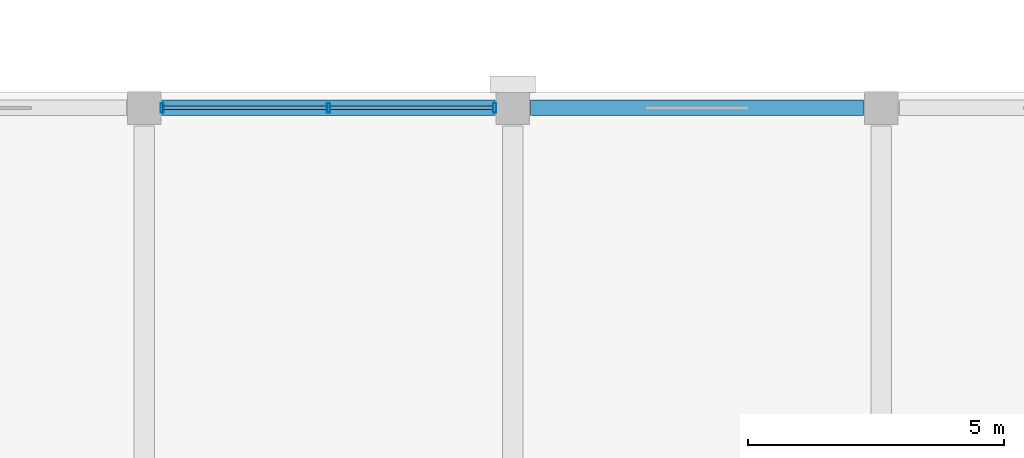
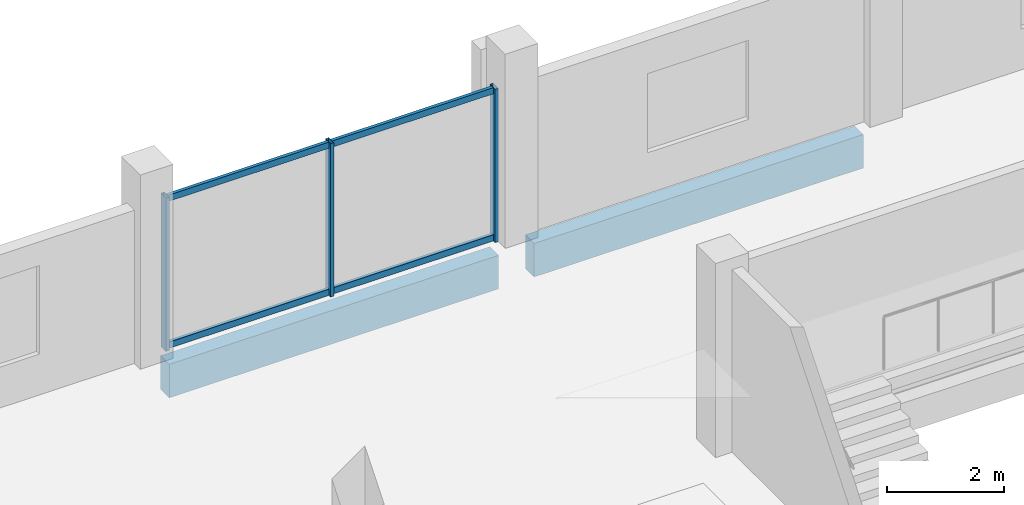
# One storey, part 34 of 107: 7 members, 2 beams, 1 element without a shape of its own.
"""IFC4 building model written with IfcOpenShell, lengths in metres."""

from ifc_helpers import new_model, si_unit, direction, frame, origin, origin_2d, place, context, subcontext, project, spatial, rectangle, hollow_rectangle, extrude, material, layer, layer_set, material_profile, profile_set, type_object, element, aggregate, save


model = new_model("IFC4")

# Units and contexts
model_context = context("Model", 3, precision=1e-05, world=origin(), true_north=direction((0.0, 1.0)))
body_context = subcontext(model_context, "Body", "Model", "MODEL_VIEW")
ifc_project = project(units=[si_unit("LENGTHUNIT", "METRE"), si_unit("AREAUNIT", "SQUARE_METRE"), si_unit("VOLUMEUNIT", "CUBIC_METRE"), si_unit("PLANEANGLEUNIT", "RADIAN"), si_unit("MASSUNIT", "GRAM", prefix="KILO")], contexts=[model_context])

# Site, building, storey
site_placement = place(None, origin())
site = spatial("IfcSite", under=ifc_project, at=site_placement, CompositionType="ELEMENT")
building_placement = place(site_placement, origin())
building = spatial("IfcBuilding", under=site, at=building_placement, Name="Kangsadwip Square Police Headquarters", CompositionType="ELEMENT")
storey_placement = place(building_placement, frame((0.0, 0.0, 5.39990234375)))
storey = spatial("IfcBuildingStorey", under=building, at=storey_placement, Name="L01", CompositionType="ELEMENT", Elevation=5.39990234375)

# Curtain wall, members
ifc_material_1 = material(Name="Thermally broken anodised aluminium AW-6063-T6", Category="aluminium")
ifc_layer = layer(ifc_material_1, 0.159912109375)
ifc_layer_set = layer_set([ifc_layer], Name="Thermally broken anodised aluminium AW-6063-T6")
curtain_wall_type = type_object("IfcCurtainWallType", Name="UnitisedCw6560x3200", PredefinedType="NOTDEFINED", material=ifc_layer_set)
curtain_wall_placement = place(storey_placement, origin())
curtain_wall = element("IfcCurtainWall", 1, at=curtain_wall_placement, inside=storey, type_object=curtain_wall_type, Name="Curtain Wall CW-L01-0075-1152", PredefinedType="NOTDEFINED")
ifc_material_2 = material(Name="Thermally broken anodised aluminium AW-6063-T6", Category="aluminium")
ifc_material_profile_1 = material_profile(ifc_material_2, hollow_rectangle(XDim=0.06494140625, YDim=0.179931640625, WallThickness=0.00390625, at=origin_2d()), Name="CWM 180X65X4")
ifc_profile_set_1 = profile_set([ifc_material_profile_1], Name="Thermally broken anodised aluminium AW-6063-T6")
member_type_1 = type_object("IfcMemberType", Name="CwMullion160x65", PredefinedType="MULLION", material=ifc_profile_set_1)
member_1_placement = place(storey_placement, frame((7.552490234375, 115.199951171875, 0.0), z_axis=(0.0, 0.0, 1.0), x_axis=(1.0, 0.0, 0.0)))
member_1 = element("IfcMember", 2, at=member_1_placement, type_object=member_type_1, Name="CW-20 mullion 1", PredefinedType="MULLION", context=body_context, shape_type="SweptSolid", body=[
    extrude(hollow_rectangle(XDim=0.06494140625, YDim=0.179931640625, WallThickness=0.00390625, at=origin_2d()), origin(), (0.0, 0.0, 1.0), 3.2001953125),
])
member_2_placement = place(storey_placement, frame((10.800048828125, 115.199951171875, 0.0), z_axis=(0.0, 0.0, 1.0), x_axis=(1.0, 0.0, 0.0)))
member_2 = element("IfcMember", 3, at=member_2_placement, type_object=member_type_1, Name="CW-20 mullion 2", PredefinedType="MULLION", context=body_context, shape_type="SweptSolid", body=[
    extrude(hollow_rectangle(XDim=0.06494140625, YDim=0.179931640625, WallThickness=0.00390625, at=origin_2d()), origin(), (0.0, 0.0, 1.0), 3.2001953125),
])
member_3_placement = place(storey_placement, frame((14.047607421875, 115.199951171875, 0.0), z_axis=(0.0, 0.0, 1.0), x_axis=(1.0, 0.0, 0.0)))
member_3 = element("IfcMember", 4, at=member_3_placement, type_object=member_type_1, Name="CW-20 mullion 3", PredefinedType="MULLION", context=body_context, shape_type="SweptSolid", body=[
    extrude(hollow_rectangle(XDim=0.06494140625, YDim=0.179931640625, WallThickness=0.00390625, at=origin_2d()), origin(), (0.0, 0.0, 1.0), 3.2001953125),
])
ifc_material_3 = material(Name="Thermally broken anodised aluminium AW-6063-T6", Category="aluminium")
ifc_material_profile_2 = material_profile(ifc_material_3, hollow_rectangle(XDim=0.06494140625, YDim=0.1298828125, WallThickness=0.00390625, at=origin_2d()), Name="CWT 130X65X4")
ifc_profile_set_2 = profile_set([ifc_material_profile_2], Name="Thermally broken anodised aluminium AW-6063-T6")
member_type_2 = type_object("IfcMemberType", Name="CwTransom140x60", PredefinedType="USERDEFINED", material=ifc_profile_set_2)
member_4_placement = place(storey_placement, frame((7.5849609375, 115.199951171875, 0.065185546875), z_axis=(1.0, 0.0, 0.0), x_axis=(0.0, 1.0, 0.0)))
member_4 = element("IfcMember", 5, at=member_4_placement, type_object=member_type_2, Name="CW-20 transom 1.1", ObjectType="TRANSOM", PredefinedType="USERDEFINED", context=body_context, shape_type="SweptSolid", body=[
    extrude(hollow_rectangle(XDim=0.06494140625, YDim=0.1298828125, WallThickness=0.00390625, at=origin_2d()), origin(), (0.0, 0.0, 1.0), 3.1826171875),
])
member_5_placement = place(storey_placement, frame((7.5849609375, 115.199951171875, 3.135009765625), z_axis=(1.0, 0.0, 0.0), x_axis=(0.0, 1.0, 0.0)))
member_5 = element("IfcMember", 6, at=member_5_placement, type_object=member_type_2, Name="CW-20 transom 1.2", ObjectType="TRANSOM", PredefinedType="USERDEFINED", context=body_context, shape_type="SweptSolid", body=[
    extrude(hollow_rectangle(XDim=0.06494140625, YDim=0.1298828125, WallThickness=0.00390625, at=origin_2d()), origin(), (0.0, 0.0, 1.0), 3.1826171875),
])
member_6_placement = place(storey_placement, frame((10.83251953125, 115.199951171875, 0.065185546875), z_axis=(1.0, 0.0, 0.0), x_axis=(0.0, 1.0, 0.0)))
member_6 = element("IfcMember", 7, at=member_6_placement, type_object=member_type_2, Name="CW-20 transom 2.1", ObjectType="TRANSOM", PredefinedType="USERDEFINED", context=body_context, shape_type="SweptSolid", body=[
    extrude(hollow_rectangle(XDim=0.06494140625, YDim=0.1298828125, WallThickness=0.00390625, at=origin_2d()), origin(), (0.0, 0.0, 1.0), 3.182373046875),
])
member_7_placement = place(storey_placement, frame((10.83251953125, 115.199951171875, 3.135009765625), z_axis=(1.0, 0.0, 0.0), x_axis=(0.0, 1.0, 0.0)))
member_7 = element("IfcMember", 8, at=member_7_placement, type_object=member_type_2, Name="CW-20 transom 2.2", ObjectType="TRANSOM", PredefinedType="USERDEFINED", context=body_context, shape_type="SweptSolid", body=[
    extrude(hollow_rectangle(XDim=0.06494140625, YDim=0.1298828125, WallThickness=0.00390625, at=origin_2d()), origin(), (0.0, 0.0, 1.0), 3.182373046875),
])
aggregate(curtain_wall, [member_1, member_2, member_3, member_4, member_5, member_6, member_7])

# Beams
ifc_material_4 = material(Name="Concrete M40 (40 MPa)", Category="concrete")
ifc_material_profile_3 = material_profile(ifc_material_4, rectangle(XDim=0.300048828125, YDim=0.699951171875, at=origin_2d()), Name="RC SPN 700X300")
ifc_profile_set_3 = profile_set([ifc_material_profile_3], Name="Concrete M40 (40 MPa)")
beam_type = type_object("IfcBeamType", Name="RcSpandrel700x300", PredefinedType="SPANDREL", material=ifc_profile_set_3)
for number, where, z_axis, x_axis, name in (
    (9, (7.550048828125, 115.199951171875, -0.58984375), (1.0, 0.0, 0.0), (0.0, 1.0, 0.0), "Beam BM-L01-X-01-16"),
    (10, (14.75, 115.199951171875, -0.58984375), (1.0, 0.0, 0.0), (0.0, 1.0, 0.0), "Beam BM-L01-X-02-16"),
):
    element("IfcBeam", number, at=place(storey_placement, frame(where, z_axis=z_axis, x_axis=x_axis)), inside=storey, type_object=beam_type, Name=name, PredefinedType="SPANDREL", context=body_context, shape_type="SweptSolid", body=[
        extrude(rectangle(XDim=0.300048828125, YDim=0.699951171875, at=origin_2d()), origin(), (0.0, 0.0, 1.0), 6.5),
    ])

save(model, "model.ifc")
